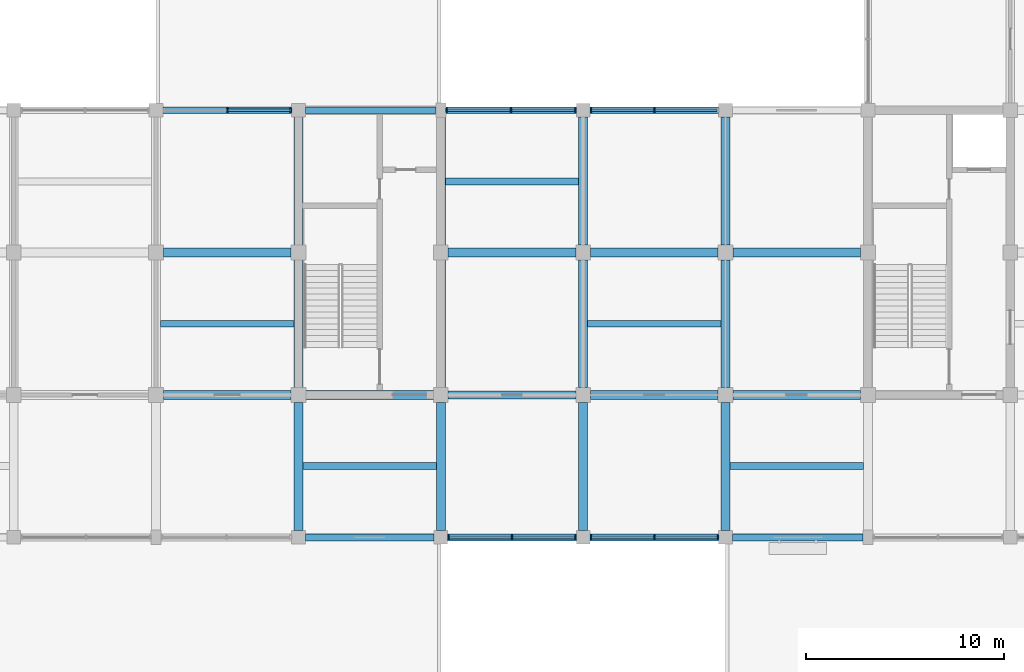
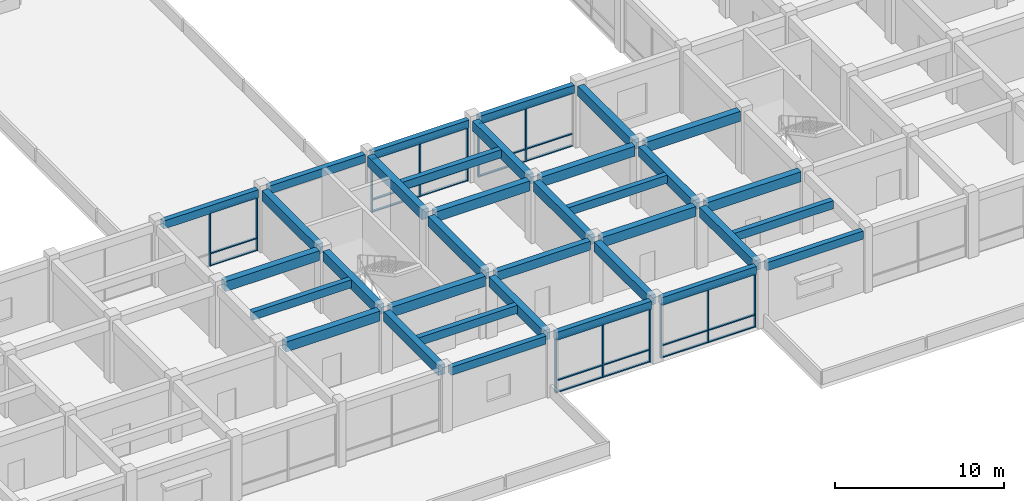
# One storey, part 4 of 30: 40 members, 34 beams, 5 elements without a shape of their own.
"""IFC4 building model written with IfcOpenShell, lengths in metres."""

from ifc_helpers import new_model, si_unit, direction, frame, origin, origin_2d, place, context, subcontext, project, spatial, rectangle, extrude, material, layer, layer_set, material_profile, profile_set, type_object, element, aggregate, save


model = new_model("IFC4")

# Units and contexts
model_context = context("Model", 3, precision=1e-05, world=origin(), true_north=direction((0.0, 1.0)))
body_context = subcontext(model_context, "Body", "Model", "MODEL_VIEW")
ifc_project = project(units=[si_unit("LENGTHUNIT", "METRE"), si_unit("AREAUNIT", "SQUARE_METRE"), si_unit("VOLUMEUNIT", "CUBIC_METRE"), si_unit("PLANEANGLEUNIT", "RADIAN"), si_unit("MASSUNIT", "GRAM", prefix="KILO")], contexts=[model_context])

# Site, building, storey
site_placement = place(None, origin())
site = spatial("IfcSite", under=ifc_project, at=site_placement, CompositionType="ELEMENT")
building_placement = place(site_placement, origin())
building = spatial("IfcBuilding", under=site, at=building_placement, Name="Cendaluz Park School", CompositionType="ELEMENT")
storey_placement = place(building_placement, frame((0.0, 0.0, 9.60009765625)))
storey = spatial("IfcBuildingStorey", under=building, at=storey_placement, Name="L02", CompositionType="ELEMENT", Elevation=9.60009765625)

# Beams
ifc_material_1 = material(Name="Concrete C40/50", Category="concrete")
ifc_material_profile_1 = material_profile(ifc_material_1, rectangle(XDim=0.449951171875, YDim=0.719970703125, at=origin_2d()), Name="RC 450x720", Category="concrete")
ifc_profile_set_1 = profile_set([ifc_material_profile_1], Name="Concrete C40/50")
beam_type_1 = type_object("IfcBeamType", Name="BM-RC02", PredefinedType="BEAM", material=ifc_profile_set_1)
for number, where, z_axis, x_axis, name in (
    (1, (29.175048828125, 14.39990234375, 4.099853515625), (1.0, 0.0, 0.0), (0.0, 1.0, 0.0), "BM-L02-BMRC02-0018"),
    (2, (29.175048828125, 21.60009765625, 4.099853515625), (1.0, 0.0, 0.0), (0.0, 1.0, 0.0), "BM-L02-BMRC02-0019"),
    (3, (36.375, 14.39990234375, 4.099853515625), (1.0, 0.0, 0.0), (0.0, 1.0, 0.0), "BM-L02-BMRC02-0022"),
    (4, (43.574951171875, 21.60009765625, 4.099853515625), (1.0, 0.0, 0.0), (0.0, 1.0, 0.0), "BM-L02-BMRC02-0026"),
):
    element("IfcBeam", number, at=place(storey_placement, frame(where, z_axis=z_axis, x_axis=x_axis)), inside=storey, type_object=beam_type_1, Name=name, PredefinedType="BEAM", context=body_context, shape_type="SweptSolid", body=[
        extrude(rectangle(XDim=0.449951171875, YDim=0.719970703125, at=origin_2d()), origin(), (0.0, 0.0, 1.0), 6.449951171875),
    ])
for number, where, z_axis, x_axis, name in (
    (5, (50.77490234375, 14.39990234375, 4.099853515625), (1.0, 0.0, 0.0), (0.0, 1.0, 0.0), "BM-L02-BMRC02-0029"),
    (6, (50.77490234375, 21.60009765625, 4.099853515625), (1.0, 0.0, 0.0), (0.0, 1.0, 0.0), "BM-L02-BMRC02-0030"),
):
    element("IfcBeam", number, at=place(storey_placement, frame(where, z_axis=z_axis, x_axis=x_axis)), inside=storey, type_object=beam_type_1, Name=name, PredefinedType="BEAM", context=body_context, shape_type="SweptSolid", body=[
        extrude(rectangle(XDim=0.449951171875, YDim=0.719970703125, at=origin_2d()), origin(), (0.0, 0.0, 1.0), 6.4501953125),
    ])
for number, where, z_axis, x_axis, name in (
    (7, (57.97509765625, 14.39990234375, 4.099853515625), (1.0, 0.0, 0.0), (0.0, 1.0, 0.0), "BM-L02-BMRC02-0033"),
    (8, (57.97509765625, 21.60009765625, 4.099853515625), (1.0, 0.0, 0.0), (0.0, 1.0, 0.0), "BM-L02-BMRC02-0034"),
):
    element("IfcBeam", number, at=place(storey_placement, frame(where, z_axis=z_axis, x_axis=x_axis)), inside=storey, type_object=beam_type_1, Name=name, PredefinedType="BEAM", context=body_context, shape_type="SweptSolid", body=[
        extrude(rectangle(XDim=0.449951171875, YDim=0.719970703125, at=origin_2d()), origin(), (0.0, 0.0, 1.0), 6.449951171875),
    ])
beam_1_placement = place(storey_placement, frame((36.0, 7.550048828125, 4.099853515625), z_axis=(0.0, 1.0, 0.0), x_axis=(-1.0, 0.0, 0.0)))
element("IfcBeam", 9, at=beam_1_placement, inside=storey, type_object=beam_type_1, Name="BM-L02-BMRC02-0142", PredefinedType="BEAM", context=body_context, shape_type="SweptSolid", body=[
    extrude(rectangle(XDim=0.449951171875, YDim=0.719970703125, at=origin_2d()), origin(), (0.0, 0.0, 1.0), 6.474853515625),
])
beam_2_placement = place(storey_placement, frame((36.0, 14.77490234375, 4.099853515625), z_axis=(0.0, 1.0, 0.0), x_axis=(-1.0, 0.0, 0.0)))
element("IfcBeam", 10, at=beam_2_placement, inside=storey, type_object=beam_type_1, Name="BM-L02-BMRC02-0143", PredefinedType="BEAM", context=body_context, shape_type="SweptSolid", body=[
    extrude(rectangle(XDim=0.449951171875, YDim=0.719970703125, at=origin_2d()), origin(), (0.0, 0.0, 1.0), 6.4501953125),
])
for number, where, z_axis, x_axis, name in (
    (11, (36.0, 21.97509765625, 4.099853515625), (0.0, 1.0, 0.0), (-1.0, 0.0, 0.0), "BM-L02-BMRC02-0144"),
    (12, (43.199951171875, 7.550048828125, 4.099853515625), (0.0, 1.0, 0.0), (-1.0, 0.0, 0.0), "BM-L02-BMRC02-0145"),
):
    element("IfcBeam", number, at=place(storey_placement, frame(where, z_axis=z_axis, x_axis=x_axis)), inside=storey, type_object=beam_type_1, Name=name, PredefinedType="BEAM", context=body_context, shape_type="SweptSolid", body=[
        extrude(rectangle(XDim=0.449951171875, YDim=0.719970703125, at=origin_2d()), origin(), (0.0, 0.0, 1.0), 6.474853515625),
    ])
beam_3_placement = place(storey_placement, frame((43.199951171875, 14.77490234375, 4.099853515625), z_axis=(0.0, 1.0, 0.0), x_axis=(-1.0, 0.0, 0.0)))
element("IfcBeam", 13, at=beam_3_placement, inside=storey, type_object=beam_type_1, Name="BM-L02-BMRC02-0146", PredefinedType="BEAM", context=body_context, shape_type="SweptSolid", body=[
    extrude(rectangle(XDim=0.449951171875, YDim=0.719970703125, at=origin_2d()), origin(), (0.0, 0.0, 1.0), 6.4501953125),
])
beam_4_placement = place(storey_placement, frame((43.199951171875, 21.97509765625, 4.099853515625), z_axis=(0.0, 1.0, 0.0), x_axis=(-1.0, 0.0, 0.0)))
element("IfcBeam", 14, at=beam_4_placement, inside=storey, type_object=beam_type_1, Name="BM-L02-BMRC02-0147", PredefinedType="BEAM", context=body_context, shape_type="SweptSolid", body=[
    extrude(rectangle(XDim=0.449951171875, YDim=0.719970703125, at=origin_2d()), origin(), (0.0, 0.0, 1.0), 6.449951171875),
])
beam_5_placement = place(storey_placement, frame((50.39990234375, 7.550048828125, 4.099853515625), z_axis=(0.0, 1.0, 0.0), x_axis=(-1.0, 0.0, 0.0)))
element("IfcBeam", 15, at=beam_5_placement, inside=storey, type_object=beam_type_1, Name="BM-L02-BMRC02-0148", PredefinedType="BEAM", context=body_context, shape_type="SweptSolid", body=[
    extrude(rectangle(XDim=0.449951171875, YDim=0.719970703125, at=origin_2d()), origin(), (0.0, 0.0, 1.0), 6.474853515625),
])
beam_6_placement = place(storey_placement, frame((50.39990234375, 14.77490234375, 4.099853515625), z_axis=(0.0, 1.0, 0.0), x_axis=(-1.0, 0.0, 0.0)))
element("IfcBeam", 16, at=beam_6_placement, inside=storey, type_object=beam_type_1, Name="BM-L02-BMRC02-0149", PredefinedType="BEAM", context=body_context, shape_type="SweptSolid", body=[
    extrude(rectangle(XDim=0.449951171875, YDim=0.719970703125, at=origin_2d()), origin(), (0.0, 0.0, 1.0), 6.4501953125),
])
for number, where, z_axis, x_axis, name in (
    (17, (50.39990234375, 21.97509765625, 4.099853515625), (0.0, 1.0, 0.0), (-1.0, 0.0, 0.0), "BM-L02-BMRC02-0150"),
    (18, (57.60009765625, 7.550048828125, 4.099853515625), (0.0, 1.0, 0.0), (-1.0, 0.0, 0.0), "BM-L02-BMRC02-0151"),
):
    element("IfcBeam", number, at=place(storey_placement, frame(where, z_axis=z_axis, x_axis=x_axis)), inside=storey, type_object=beam_type_1, Name=name, PredefinedType="BEAM", context=body_context, shape_type="SweptSolid", body=[
        extrude(rectangle(XDim=0.449951171875, YDim=0.719970703125, at=origin_2d()), origin(), (0.0, 0.0, 1.0), 6.474853515625),
    ])
beam_7_placement = place(storey_placement, frame((57.60009765625, 14.77490234375, 4.099853515625), z_axis=(0.0, 1.0, 0.0), x_axis=(-1.0, 0.0, 0.0)))
element("IfcBeam", 19, at=beam_7_placement, inside=storey, type_object=beam_type_1, Name="BM-L02-BMRC02-0152", PredefinedType="BEAM", context=body_context, shape_type="SweptSolid", body=[
    extrude(rectangle(XDim=0.449951171875, YDim=0.719970703125, at=origin_2d()), origin(), (0.0, 0.0, 1.0), 6.4501953125),
])
beam_8_placement = place(storey_placement, frame((57.60009765625, 21.97509765625, 4.099853515625), z_axis=(0.0, 1.0, 0.0), x_axis=(-1.0, 0.0, 0.0)))
element("IfcBeam", 20, at=beam_8_placement, inside=storey, type_object=beam_type_1, Name="BM-L02-BMRC02-0153", PredefinedType="BEAM", context=body_context, shape_type="SweptSolid", body=[
    extrude(rectangle(XDim=0.449951171875, YDim=0.719970703125, at=origin_2d()), origin(), (0.0, 0.0, 1.0), 6.474853515625),
])
ifc_material_profile_2 = material_profile(ifc_material_1, rectangle(XDim=0.39990234375, YDim=0.64990234375, at=origin_2d()), Name="RC 400x650", Category="concrete")
ifc_profile_set_2 = profile_set([ifc_material_profile_2], Name="Concrete C40/50")
beam_type_2 = type_object("IfcBeamType", Name="BM-RC03", PredefinedType="T_BEAM", material=ifc_profile_set_2)
beam_9_placement = place(storey_placement, frame((43.574951171875, 14.39990234375, 4.135009765625), z_axis=(1.0, 0.0, 0.0), x_axis=(0.0, 1.0, 0.0)))
element("IfcBeam", 21, at=beam_9_placement, inside=storey, type_object=beam_type_2, Name="BM-L02-BMRC03-0025", PredefinedType="T_BEAM", context=body_context, shape_type="SweptSolid", body=[
    extrude(rectangle(XDim=0.39990234375, YDim=0.64990234375, at=origin_2d()), origin(), (0.0, 0.0, 1.0), 6.449951171875),
])
ifc_material_profile_3 = material_profile(ifc_material_1, rectangle(XDim=0.35009765625, YDim=0.580078125, at=origin_2d()), Name="RC 350x580", Category="concrete")
ifc_profile_set_3 = profile_set([ifc_material_profile_3], Name="Concrete C40/50")
beam_type_3 = type_object("IfcBeamType", Name="BM-RC04", PredefinedType="LINTEL", material=ifc_profile_set_3)
for number, where, z_axis, x_axis, name in (
    (22, (29.14990234375, 28.800048828125, 4.169921875), (1.0, 0.0, 0.0), (0.0, 1.0, 0.0), "BM-L02-BMRC04-0020"),
    (23, (36.35009765625, 7.199951171875, 4.169921875), (1.0, 0.0, 0.0), (0.0, 1.0, 0.0), "BM-L02-BMRC04-0021"),
):
    element("IfcBeam", number, at=place(storey_placement, frame(where, z_axis=z_axis, x_axis=x_axis)), inside=storey, type_object=beam_type_3, Name=name, PredefinedType="LINTEL", context=body_context, shape_type="SweptSolid", body=[
        extrude(rectangle(XDim=0.35009765625, YDim=0.580078125, at=origin_2d()), origin(), (0.0, 0.0, 1.0), 6.5),
    ])
beam_10_placement = place(storey_placement, frame((36.35009765625, 28.800048828125, 4.169921875), z_axis=(1.0, 0.0, 0.0), x_axis=(0.0, 1.0, 0.0)))
element("IfcBeam", 24, at=beam_10_placement, inside=storey, type_object=beam_type_3, Name="BM-L02-BMRC04-0023", PredefinedType="LINTEL", context=body_context, shape_type="SweptSolid", body=[
    extrude(rectangle(XDim=0.35009765625, YDim=0.580078125, at=origin_2d()), origin(), (0.0, 0.0, 1.0), 6.599853515625),
])
beam_11_placement = place(storey_placement, frame((43.550048828125, 7.199951171875, 4.169921875), z_axis=(1.0, 0.0, 0.0), x_axis=(0.0, 1.0, 0.0)))
element("IfcBeam", 25, at=beam_11_placement, inside=storey, type_object=beam_type_3, Name="BM-L02-BMRC04-0024", PredefinedType="LINTEL", context=body_context, shape_type="SweptSolid", body=[
    extrude(rectangle(XDim=0.35009765625, YDim=0.580078125, at=origin_2d()), origin(), (0.0, 0.0, 1.0), 6.5),
])
beam_12_placement = place(storey_placement, frame((43.449951171875, 28.800048828125, 4.169921875), z_axis=(1.0, 0.0, 0.0), x_axis=(0.0, 1.0, 0.0)))
element("IfcBeam", 26, at=beam_12_placement, inside=storey, type_object=beam_type_3, Name="BM-L02-BMRC04-0027", PredefinedType="LINTEL", context=body_context, shape_type="SweptSolid", body=[
    extrude(rectangle(XDim=0.35009765625, YDim=0.580078125, at=origin_2d()), origin(), (0.0, 0.0, 1.0), 6.60009765625),
])
for number, where, z_axis, x_axis, name in (
    (27, (50.75, 7.199951171875, 4.169921875), (1.0, 0.0, 0.0), (0.0, 1.0, 0.0), "BM-L02-BMRC04-0028"),
    (28, (50.75, 28.800048828125, 4.169921875), (1.0, 0.0, 0.0), (0.0, 1.0, 0.0), "BM-L02-BMRC04-0031"),
):
    element("IfcBeam", number, at=place(storey_placement, frame(where, z_axis=z_axis, x_axis=x_axis)), inside=storey, type_object=beam_type_3, Name=name, PredefinedType="LINTEL", context=body_context, shape_type="SweptSolid", body=[
        extrude(rectangle(XDim=0.35009765625, YDim=0.580078125, at=origin_2d()), origin(), (0.0, 0.0, 1.0), 6.5),
    ])
beam_13_placement = place(storey_placement, frame((57.949951171875, 7.199951171875, 4.169921875), z_axis=(1.0, 0.0, 0.0), x_axis=(0.0, 1.0, 0.0)))
element("IfcBeam", 29, at=beam_13_placement, inside=storey, type_object=beam_type_3, Name="BM-L02-BMRC04-0032", PredefinedType="LINTEL", context=body_context, shape_type="SweptSolid", body=[
    extrude(rectangle(XDim=0.35009765625, YDim=0.580078125, at=origin_2d()), origin(), (0.0, 0.0, 1.0), 6.60009765625),
])

# Curtain wall, members
ifc_material_2 = material(Name="Anodised Aluminium 6063-T6", Category="aluminium")
ifc_layer_1 = layer(ifc_material_2, 0.179931640625)
ifc_layer_set_1 = layer_set([ifc_layer_1], Name="Anodised Aluminium 6063-T6")
curtain_wall_type_1 = type_object("IfcCurtainWallType", Name="CW-130x78", PredefinedType="NOTDEFINED", material=ifc_layer_set_1)
curtain_wall_1_placement = place(storey_placement, origin())
curtain_wall_1 = element("IfcCurtainWall", 30, at=curtain_wall_1_placement, inside=storey, type_object=curtain_wall_type_1, Name="CW-L02-099", PredefinedType="NOTDEFINED")
ifc_material_profile_4 = material_profile(ifc_material_2, rectangle(XDim=0.199951171875, YDim=0.080078125, at=origin_2d()), Name="CWM 200x80", Category="aluminium")
ifc_profile_set_4 = profile_set([ifc_material_profile_4], Name="Anodised Aluminium 6063-T6")
member_type_1 = type_object("IfcMemberType", Name="CWM-02", PredefinedType="MULLION", material=ifc_profile_set_4)
member_1_placement = place(storey_placement, frame((32.39990234375, 28.800048828125, 0.0), z_axis=(0.0, 0.0, 1.0), x_axis=(0.0, 1.0, 0.0)))
member_1 = element("IfcMember", 31, at=member_1_placement, type_object=member_type_1, Name="CP-L02-1276", PredefinedType="MULLION", context=body_context, shape_type="SweptSolid", body=[
    extrude(rectangle(XDim=0.199951171875, YDim=0.080078125, at=origin_2d()), origin(), (0.0, 0.0, 1.0), 3.8798828125),
])
member_2_placement = place(storey_placement, frame((35.610107421875, 28.800048828125, 0.0), z_axis=(0.0, 0.0, 1.0), x_axis=(0.0, 1.0, 0.0)))
member_2 = element("IfcMember", 32, at=member_2_placement, type_object=member_type_1, Name="CP-L02-1277", PredefinedType="MULLION", context=body_context, shape_type="SweptSolid", body=[
    extrude(rectangle(XDim=0.199951171875, YDim=0.080078125, at=origin_2d()), origin(), (0.0, 0.0, 1.0), 3.8798828125),
])

curtain_wall_2_placement = place(storey_placement, origin())
curtain_wall_2 = element("IfcCurtainWall", 33, at=curtain_wall_2_placement, inside=storey, type_object=curtain_wall_type_1, Name="CW-L02-100", PredefinedType="NOTDEFINED")
member_3_placement = place(storey_placement, frame((43.590087890625, 7.199951171875, 0.0), z_axis=(0.0, 0.0, 1.0), x_axis=(0.0, 1.0, 0.0)))
member_3 = element("IfcMember", 34, at=member_3_placement, type_object=member_type_1, Name="CP-L02-1288", PredefinedType="MULLION", context=body_context, shape_type="SweptSolid", body=[
    extrude(rectangle(XDim=0.199951171875, YDim=0.080078125, at=origin_2d()), origin(), (0.0, 0.0, 1.0), 3.8798828125),
])
member_4_placement = place(storey_placement, frame((46.800048828125, 7.199951171875, 0.0), z_axis=(0.0, 0.0, 1.0), x_axis=(0.0, 1.0, 0.0)))
member_4 = element("IfcMember", 35, at=member_4_placement, type_object=member_type_1, Name="CP-L02-1289", PredefinedType="MULLION", context=body_context, shape_type="SweptSolid", body=[
    extrude(rectangle(XDim=0.199951171875, YDim=0.080078125, at=origin_2d()), origin(), (0.0, 0.0, 1.0), 3.8798828125),
])
member_5_placement = place(storey_placement, frame((50.010009765625, 7.199951171875, 0.0), z_axis=(0.0, 0.0, 1.0), x_axis=(0.0, 1.0, 0.0)))
member_5 = element("IfcMember", 36, at=member_5_placement, type_object=member_type_1, Name="CP-L02-1290", PredefinedType="MULLION", context=body_context, shape_type="SweptSolid", body=[
    extrude(rectangle(XDim=0.199951171875, YDim=0.080078125, at=origin_2d()), origin(), (0.0, 0.0, 1.0), 3.8798828125),
])

ifc_layer_2 = layer(ifc_material_2, 0.179931640625)
ifc_layer_set_2 = layer_set([ifc_layer_2], Name="Anodised Aluminium 6063-T6")
curtain_wall_type_2 = type_object("IfcCurtainWallType", Name="CW-132x78", PredefinedType="NOTDEFINED", material=ifc_layer_set_2)
curtain_wall_3_placement = place(storey_placement, origin())
curtain_wall_3 = element("IfcCurtainWall", 37, at=curtain_wall_3_placement, inside=storey, type_object=curtain_wall_type_2, Name="CW-L02-101", PredefinedType="NOTDEFINED")
member_6_placement = place(storey_placement, frame((43.489990234375, 28.800048828125, 0.0), z_axis=(0.0, 0.0, 1.0), x_axis=(0.0, 1.0, 0.0)))
member_6 = element("IfcMember", 38, at=member_6_placement, type_object=member_type_1, Name="CP-L02-1301", PredefinedType="MULLION", context=body_context, shape_type="SweptSolid", body=[
    extrude(rectangle(XDim=0.199951171875, YDim=0.080078125, at=origin_2d()), origin(), (0.0, 0.0, 1.0), 3.8798828125),
])
member_7_placement = place(storey_placement, frame((46.75, 28.800048828125, 0.0), z_axis=(0.0, 0.0, 1.0), x_axis=(0.0, 1.0, 0.0)))
member_7 = element("IfcMember", 39, at=member_7_placement, type_object=member_type_1, Name="CP-L02-1302", PredefinedType="MULLION", context=body_context, shape_type="SweptSolid", body=[
    extrude(rectangle(XDim=0.199951171875, YDim=0.080078125, at=origin_2d()), origin(), (0.0, 0.0, 1.0), 3.8798828125),
])
member_8_placement = place(storey_placement, frame((50.010009765625, 28.800048828125, 0.0), z_axis=(0.0, 0.0, 1.0), x_axis=(0.0, 1.0, 0.0)))
member_8 = element("IfcMember", 40, at=member_8_placement, type_object=member_type_1, Name="CP-L02-1303", PredefinedType="MULLION", context=body_context, shape_type="SweptSolid", body=[
    extrude(rectangle(XDim=0.199951171875, YDim=0.080078125, at=origin_2d()), origin(), (0.0, 0.0, 1.0), 3.8798828125),
])

curtain_wall_4_placement = place(storey_placement, origin())
curtain_wall_4 = element("IfcCurtainWall", 41, at=curtain_wall_4_placement, inside=storey, type_object=curtain_wall_type_1, Name="CW-L02-102", PredefinedType="NOTDEFINED")
member_9_placement = place(storey_placement, frame((50.7900390625, 7.199951171875, 0.0), z_axis=(0.0, 0.0, 1.0), x_axis=(0.0, 1.0, 0.0)))
member_9 = element("IfcMember", 42, at=member_9_placement, type_object=member_type_1, Name="CP-L02-1314", PredefinedType="MULLION", context=body_context, shape_type="SweptSolid", body=[
    extrude(rectangle(XDim=0.199951171875, YDim=0.080078125, at=origin_2d()), origin(), (0.0, 0.0, 1.0), 3.8798828125),
])
member_10_placement = place(storey_placement, frame((54.0, 7.199951171875, 0.0), z_axis=(0.0, 0.0, 1.0), x_axis=(0.0, 1.0, 0.0)))
member_10 = element("IfcMember", 43, at=member_10_placement, type_object=member_type_1, Name="CP-L02-1315", PredefinedType="MULLION", context=body_context, shape_type="SweptSolid", body=[
    extrude(rectangle(XDim=0.199951171875, YDim=0.080078125, at=origin_2d()), origin(), (0.0, 0.0, 1.0), 3.8798828125),
])
member_11_placement = place(storey_placement, frame((57.2099609375, 7.199951171875, 0.0), z_axis=(0.0, 0.0, 1.0), x_axis=(0.0, 1.0, 0.0)))
member_11 = element("IfcMember", 44, at=member_11_placement, type_object=member_type_1, Name="CP-L02-1316", PredefinedType="MULLION", context=body_context, shape_type="SweptSolid", body=[
    extrude(rectangle(XDim=0.199951171875, YDim=0.080078125, at=origin_2d()), origin(), (0.0, 0.0, 1.0), 3.8798828125),
])

curtain_wall_5_placement = place(storey_placement, origin())
curtain_wall_5 = element("IfcCurtainWall", 45, at=curtain_wall_5_placement, inside=storey, type_object=curtain_wall_type_1, Name="CW-L02-103", PredefinedType="NOTDEFINED")
member_12_placement = place(storey_placement, frame((50.7900390625, 28.800048828125, 0.0), z_axis=(0.0, 0.0, 1.0), x_axis=(0.0, 1.0, 0.0)))
member_12 = element("IfcMember", 46, at=member_12_placement, type_object=member_type_1, Name="CP-L02-1327", PredefinedType="MULLION", context=body_context, shape_type="SweptSolid", body=[
    extrude(rectangle(XDim=0.199951171875, YDim=0.080078125, at=origin_2d()), origin(), (0.0, 0.0, 1.0), 3.8798828125),
])
member_13_placement = place(storey_placement, frame((54.0, 28.800048828125, 0.0), z_axis=(0.0, 0.0, 1.0), x_axis=(0.0, 1.0, 0.0)))
member_13 = element("IfcMember", 47, at=member_13_placement, type_object=member_type_1, Name="CP-L02-1328", PredefinedType="MULLION", context=body_context, shape_type="SweptSolid", body=[
    extrude(rectangle(XDim=0.199951171875, YDim=0.080078125, at=origin_2d()), origin(), (0.0, 0.0, 1.0), 3.8798828125),
])

# Member
ifc_material_profile_5 = material_profile(ifc_material_2, rectangle(XDim=0.14990234375, YDim=0.080078125, at=origin_2d()), Name="CWT 150x80", Category="aluminium")
ifc_profile_set_5 = profile_set([ifc_material_profile_5], Name="Anodised Aluminium 6063-T6")
member_type_2 = type_object("IfcMemberType", Name="CWT-02", PredefinedType="USERDEFINED", material=ifc_profile_set_5)
member_14_placement = place(storey_placement, frame((32.43994140625, 28.800048828125, 0.039794921875), z_axis=(1.0, 0.0, 0.0), x_axis=(0.0, 1.0, 0.0)))
member_14 = element("IfcMember", 48, at=member_14_placement, type_object=member_type_2, Name="CP-L02-1283", ObjectType="TRANSOM", PredefinedType="USERDEFINED", context=body_context, shape_type="SweptSolid", body=[
    extrude(rectangle(XDim=0.14990234375, YDim=0.080078125, at=origin_2d()), origin(), (0.0, 0.0, 1.0), 3.130126953125),
])

member_15_placement = place(storey_placement, frame((32.43994140625, 28.800048828125, 0.89990234375), z_axis=(1.0, 0.0, 0.0), x_axis=(0.0, 1.0, 0.0)))
member_15 = element("IfcMember", 49, at=member_15_placement, type_object=member_type_2, Name="CP-L02-1284", ObjectType="TRANSOM", PredefinedType="USERDEFINED", context=body_context, shape_type="SweptSolid", body=[
    extrude(rectangle(XDim=0.14990234375, YDim=0.080078125, at=origin_2d()), origin(), (0.0, 0.0, 1.0), 3.130126953125),
])

member_16_placement = place(storey_placement, frame((32.43994140625, 28.800048828125, 3.83984375), z_axis=(1.0, 0.0, 0.0), x_axis=(0.0, 1.0, 0.0)))
member_16 = element("IfcMember", 50, at=member_16_placement, type_object=member_type_2, Name="CP-L02-1285", ObjectType="TRANSOM", PredefinedType="USERDEFINED", context=body_context, shape_type="SweptSolid", body=[
    extrude(rectangle(XDim=0.14990234375, YDim=0.080078125, at=origin_2d()), origin(), (0.0, 0.0, 1.0), 3.130126953125),
])

aggregate(curtain_wall_1, [member_1, member_2, member_14, member_15, member_16])

member_17_placement = place(storey_placement, frame((43.6298828125, 7.199951171875, 0.039794921875), z_axis=(1.0, 0.0, 0.0), x_axis=(0.0, 1.0, 0.0)))
member_17 = element("IfcMember", 51, at=member_17_placement, type_object=member_type_2, Name="CP-L02-1291", ObjectType="TRANSOM", PredefinedType="USERDEFINED", context=body_context, shape_type="SweptSolid", body=[
    extrude(rectangle(XDim=0.14990234375, YDim=0.080078125, at=origin_2d()), origin(), (0.0, 0.0, 1.0), 3.130126953125),
])

member_18_placement = place(storey_placement, frame((43.6298828125, 7.199951171875, 0.89990234375), z_axis=(1.0, 0.0, 0.0), x_axis=(0.0, 1.0, 0.0)))
member_18 = element("IfcMember", 52, at=member_18_placement, type_object=member_type_2, Name="CP-L02-1292", ObjectType="TRANSOM", PredefinedType="USERDEFINED", context=body_context, shape_type="SweptSolid", body=[
    extrude(rectangle(XDim=0.14990234375, YDim=0.080078125, at=origin_2d()), origin(), (0.0, 0.0, 1.0), 3.130126953125),
])

member_19_placement = place(storey_placement, frame((43.6298828125, 7.199951171875, 3.83984375), z_axis=(1.0, 0.0, 0.0), x_axis=(0.0, 1.0, 0.0)))
member_19 = element("IfcMember", 53, at=member_19_placement, type_object=member_type_2, Name="CP-L02-1293", ObjectType="TRANSOM", PredefinedType="USERDEFINED", context=body_context, shape_type="SweptSolid", body=[
    extrude(rectangle(XDim=0.14990234375, YDim=0.080078125, at=origin_2d()), origin(), (0.0, 0.0, 1.0), 3.130126953125),
])

member_20_placement = place(storey_placement, frame((46.840087890625, 7.199951171875, 0.039794921875), z_axis=(1.0, 0.0, 0.0), x_axis=(0.0, 1.0, 0.0)))
member_20 = element("IfcMember", 54, at=member_20_placement, type_object=member_type_2, Name="CP-L02-1296", ObjectType="TRANSOM", PredefinedType="USERDEFINED", context=body_context, shape_type="SweptSolid", body=[
    extrude(rectangle(XDim=0.14990234375, YDim=0.080078125, at=origin_2d()), origin(), (0.0, 0.0, 1.0), 3.1298828125),
])

member_21_placement = place(storey_placement, frame((46.840087890625, 7.199951171875, 0.89990234375), z_axis=(1.0, 0.0, 0.0), x_axis=(0.0, 1.0, 0.0)))
member_21 = element("IfcMember", 55, at=member_21_placement, type_object=member_type_2, Name="CP-L02-1297", ObjectType="TRANSOM", PredefinedType="USERDEFINED", context=body_context, shape_type="SweptSolid", body=[
    extrude(rectangle(XDim=0.14990234375, YDim=0.080078125, at=origin_2d()), origin(), (0.0, 0.0, 1.0), 3.1298828125),
])

member_22_placement = place(storey_placement, frame((46.840087890625, 7.199951171875, 3.83984375), z_axis=(1.0, 0.0, 0.0), x_axis=(0.0, 1.0, 0.0)))
member_22 = element("IfcMember", 56, at=member_22_placement, type_object=member_type_2, Name="CP-L02-1298", ObjectType="TRANSOM", PredefinedType="USERDEFINED", context=body_context, shape_type="SweptSolid", body=[
    extrude(rectangle(XDim=0.14990234375, YDim=0.080078125, at=origin_2d()), origin(), (0.0, 0.0, 1.0), 3.1298828125),
])

aggregate(curtain_wall_2, [member_3, member_4, member_5, member_17, member_18, member_19, member_20, member_21, member_22])

member_23_placement = place(storey_placement, frame((43.530029296875, 28.800048828125, 0.039794921875), z_axis=(1.0, 0.0, 0.0), x_axis=(0.0, 1.0, 0.0)))
member_23 = element("IfcMember", 57, at=member_23_placement, type_object=member_type_2, Name="CP-L02-1304", ObjectType="TRANSOM", PredefinedType="USERDEFINED", context=body_context, shape_type="SweptSolid", body=[
    extrude(rectangle(XDim=0.14990234375, YDim=0.080078125, at=origin_2d()), origin(), (0.0, 0.0, 1.0), 3.179931640625),
])

member_24_placement = place(storey_placement, frame((43.530029296875, 28.800048828125, 0.89990234375), z_axis=(1.0, 0.0, 0.0), x_axis=(0.0, 1.0, 0.0)))
member_24 = element("IfcMember", 58, at=member_24_placement, type_object=member_type_2, Name="CP-L02-1305", ObjectType="TRANSOM", PredefinedType="USERDEFINED", context=body_context, shape_type="SweptSolid", body=[
    extrude(rectangle(XDim=0.14990234375, YDim=0.080078125, at=origin_2d()), origin(), (0.0, 0.0, 1.0), 3.179931640625),
])

member_25_placement = place(storey_placement, frame((43.530029296875, 28.800048828125, 3.83984375), z_axis=(1.0, 0.0, 0.0), x_axis=(0.0, 1.0, 0.0)))
member_25 = element("IfcMember", 59, at=member_25_placement, type_object=member_type_2, Name="CP-L02-1306", ObjectType="TRANSOM", PredefinedType="USERDEFINED", context=body_context, shape_type="SweptSolid", body=[
    extrude(rectangle(XDim=0.14990234375, YDim=0.080078125, at=origin_2d()), origin(), (0.0, 0.0, 1.0), 3.179931640625),
])

member_26_placement = place(storey_placement, frame((46.7900390625, 28.800048828125, 0.039794921875), z_axis=(1.0, 0.0, 0.0), x_axis=(0.0, 1.0, 0.0)))
member_26 = element("IfcMember", 60, at=member_26_placement, type_object=member_type_2, Name="CP-L02-1309", ObjectType="TRANSOM", PredefinedType="USERDEFINED", context=body_context, shape_type="SweptSolid", body=[
    extrude(rectangle(XDim=0.14990234375, YDim=0.080078125, at=origin_2d()), origin(), (0.0, 0.0, 1.0), 3.179931640625),
])

member_27_placement = place(storey_placement, frame((46.7900390625, 28.800048828125, 0.89990234375), z_axis=(1.0, 0.0, 0.0), x_axis=(0.0, 1.0, 0.0)))
member_27 = element("IfcMember", 61, at=member_27_placement, type_object=member_type_2, Name="CP-L02-1310", ObjectType="TRANSOM", PredefinedType="USERDEFINED", context=body_context, shape_type="SweptSolid", body=[
    extrude(rectangle(XDim=0.14990234375, YDim=0.080078125, at=origin_2d()), origin(), (0.0, 0.0, 1.0), 3.179931640625),
])

member_28_placement = place(storey_placement, frame((46.7900390625, 28.800048828125, 3.83984375), z_axis=(1.0, 0.0, 0.0), x_axis=(0.0, 1.0, 0.0)))
member_28 = element("IfcMember", 62, at=member_28_placement, type_object=member_type_2, Name="CP-L02-1311", ObjectType="TRANSOM", PredefinedType="USERDEFINED", context=body_context, shape_type="SweptSolid", body=[
    extrude(rectangle(XDim=0.14990234375, YDim=0.080078125, at=origin_2d()), origin(), (0.0, 0.0, 1.0), 3.179931640625),
])

aggregate(curtain_wall_3, [member_6, member_7, member_8, member_23, member_24, member_25, member_26, member_27, member_28])

member_29_placement = place(storey_placement, frame((50.830078125, 7.199951171875, 0.039794921875), z_axis=(1.0, 0.0, 0.0), x_axis=(0.0, 1.0, 0.0)))
member_29 = element("IfcMember", 63, at=member_29_placement, type_object=member_type_2, Name="CP-L02-1317", ObjectType="TRANSOM", PredefinedType="USERDEFINED", context=body_context, shape_type="SweptSolid", body=[
    extrude(rectangle(XDim=0.14990234375, YDim=0.080078125, at=origin_2d()), origin(), (0.0, 0.0, 1.0), 3.1298828125),
])

member_30_placement = place(storey_placement, frame((50.830078125, 7.199951171875, 0.89990234375), z_axis=(1.0, 0.0, 0.0), x_axis=(0.0, 1.0, 0.0)))
member_30 = element("IfcMember", 64, at=member_30_placement, type_object=member_type_2, Name="CP-L02-1318", ObjectType="TRANSOM", PredefinedType="USERDEFINED", context=body_context, shape_type="SweptSolid", body=[
    extrude(rectangle(XDim=0.14990234375, YDim=0.080078125, at=origin_2d()), origin(), (0.0, 0.0, 1.0), 3.1298828125),
])

member_31_placement = place(storey_placement, frame((50.830078125, 7.199951171875, 3.83984375), z_axis=(1.0, 0.0, 0.0), x_axis=(0.0, 1.0, 0.0)))
member_31 = element("IfcMember", 65, at=member_31_placement, type_object=member_type_2, Name="CP-L02-1319", ObjectType="TRANSOM", PredefinedType="USERDEFINED", context=body_context, shape_type="SweptSolid", body=[
    extrude(rectangle(XDim=0.14990234375, YDim=0.080078125, at=origin_2d()), origin(), (0.0, 0.0, 1.0), 3.1298828125),
])

member_32_placement = place(storey_placement, frame((54.0400390625, 7.199951171875, 0.039794921875), z_axis=(1.0, 0.0, 0.0), x_axis=(0.0, 1.0, 0.0)))
member_32 = element("IfcMember", 66, at=member_32_placement, type_object=member_type_2, Name="CP-L02-1322", ObjectType="TRANSOM", PredefinedType="USERDEFINED", context=body_context, shape_type="SweptSolid", body=[
    extrude(rectangle(XDim=0.14990234375, YDim=0.080078125, at=origin_2d()), origin(), (0.0, 0.0, 1.0), 3.1298828125),
])

member_33_placement = place(storey_placement, frame((54.0400390625, 7.199951171875, 0.89990234375), z_axis=(1.0, 0.0, 0.0), x_axis=(0.0, 1.0, 0.0)))
member_33 = element("IfcMember", 67, at=member_33_placement, type_object=member_type_2, Name="CP-L02-1323", ObjectType="TRANSOM", PredefinedType="USERDEFINED", context=body_context, shape_type="SweptSolid", body=[
    extrude(rectangle(XDim=0.14990234375, YDim=0.080078125, at=origin_2d()), origin(), (0.0, 0.0, 1.0), 3.1298828125),
])

member_34_placement = place(storey_placement, frame((54.0400390625, 7.199951171875, 3.83984375), z_axis=(1.0, 0.0, 0.0), x_axis=(0.0, 1.0, 0.0)))
member_34 = element("IfcMember", 68, at=member_34_placement, type_object=member_type_2, Name="CP-L02-1324", ObjectType="TRANSOM", PredefinedType="USERDEFINED", context=body_context, shape_type="SweptSolid", body=[
    extrude(rectangle(XDim=0.14990234375, YDim=0.080078125, at=origin_2d()), origin(), (0.0, 0.0, 1.0), 3.1298828125),
])

aggregate(curtain_wall_4, [member_9, member_10, member_11, member_29, member_30, member_31, member_32, member_33, member_34])

member_35_placement = place(storey_placement, frame((50.830078125, 28.800048828125, 0.039794921875), z_axis=(1.0, 0.0, 0.0), x_axis=(0.0, 1.0, 0.0)))
member_35 = element("IfcMember", 69, at=member_35_placement, type_object=member_type_2, Name="CP-L02-1330", ObjectType="TRANSOM", PredefinedType="USERDEFINED", context=body_context, shape_type="SweptSolid", body=[
    extrude(rectangle(XDim=0.14990234375, YDim=0.080078125, at=origin_2d()), origin(), (0.0, 0.0, 1.0), 3.1298828125),
])

member_36_placement = place(storey_placement, frame((50.830078125, 28.800048828125, 0.89990234375), z_axis=(1.0, 0.0, 0.0), x_axis=(0.0, 1.0, 0.0)))
member_36 = element("IfcMember", 70, at=member_36_placement, type_object=member_type_2, Name="CP-L02-1331", ObjectType="TRANSOM", PredefinedType="USERDEFINED", context=body_context, shape_type="SweptSolid", body=[
    extrude(rectangle(XDim=0.14990234375, YDim=0.080078125, at=origin_2d()), origin(), (0.0, 0.0, 1.0), 3.1298828125),
])

member_37_placement = place(storey_placement, frame((50.830078125, 28.800048828125, 3.83984375), z_axis=(1.0, 0.0, 0.0), x_axis=(0.0, 1.0, 0.0)))
member_37 = element("IfcMember", 71, at=member_37_placement, type_object=member_type_2, Name="CP-L02-1332", ObjectType="TRANSOM", PredefinedType="USERDEFINED", context=body_context, shape_type="SweptSolid", body=[
    extrude(rectangle(XDim=0.14990234375, YDim=0.080078125, at=origin_2d()), origin(), (0.0, 0.0, 1.0), 3.1298828125),
])

member_38_placement = place(storey_placement, frame((54.0400390625, 28.800048828125, 0.039794921875), z_axis=(1.0, 0.0, 0.0), x_axis=(0.0, 1.0, 0.0)))
member_38 = element("IfcMember", 72, at=member_38_placement, type_object=member_type_2, Name="CP-L02-1335", ObjectType="TRANSOM", PredefinedType="USERDEFINED", context=body_context, shape_type="SweptSolid", body=[
    extrude(rectangle(XDim=0.14990234375, YDim=0.080078125, at=origin_2d()), origin(), (0.0, 0.0, 1.0), 3.1298828125),
])

member_39_placement = place(storey_placement, frame((54.0400390625, 28.800048828125, 0.89990234375), z_axis=(1.0, 0.0, 0.0), x_axis=(0.0, 1.0, 0.0)))
member_39 = element("IfcMember", 73, at=member_39_placement, type_object=member_type_2, Name="CP-L02-1336", ObjectType="TRANSOM", PredefinedType="USERDEFINED", context=body_context, shape_type="SweptSolid", body=[
    extrude(rectangle(XDim=0.14990234375, YDim=0.080078125, at=origin_2d()), origin(), (0.0, 0.0, 1.0), 3.1298828125),
])

member_40_placement = place(storey_placement, frame((54.0400390625, 28.800048828125, 3.83984375), z_axis=(1.0, 0.0, 0.0), x_axis=(0.0, 1.0, 0.0)))
member_40 = element("IfcMember", 74, at=member_40_placement, type_object=member_type_2, Name="CP-L02-1337", ObjectType="TRANSOM", PredefinedType="USERDEFINED", context=body_context, shape_type="SweptSolid", body=[
    extrude(rectangle(XDim=0.14990234375, YDim=0.080078125, at=origin_2d()), origin(), (0.0, 0.0, 1.0), 3.1298828125),
])

aggregate(curtain_wall_5, [member_12, member_13, member_35, member_36, member_37, member_38, member_39, member_40])

# Beams
ifc_material_profile_6 = material_profile(ifc_material_1, rectangle(XDim=0.35009765625, YDim=0.580078125, at=origin_2d()), Name="RC 350x580", Category="concrete")
ifc_profile_set_6 = profile_set([ifc_material_profile_6], Name="Concrete C40/50")
beam_type_4 = type_object("IfcBeamType", Name="JT-RC01", PredefinedType="JOIST", material=ifc_profile_set_6)
for number, where, z_axis, x_axis, name in (
    (75, (29.02490234375, 18.0, 4.169921875), (1.0, 0.0, 0.0), (0.0, 1.0, 0.0), "BM-L02-JTRC01-0248"),
    (76, (36.22509765625, 10.800048828125, 4.169921875), (1.0, 0.0, 0.0), (0.0, 1.0, 0.0), "BM-L02-JTRC01-0249"),
    (77, (43.425048828125, 25.199951171875, 4.169921875), (1.0, 0.0, 0.0), (0.0, 1.0, 0.0), "BM-L02-JTRC01-0250"),
    (78, (50.625, 18.0, 4.169921875), (1.0, 0.0, 0.0), (0.0, 1.0, 0.0), "BM-L02-JTRC01-0251"),
    (79, (57.824951171875, 10.800048828125, 4.169921875), (1.0, 0.0, 0.0), (0.0, 1.0, 0.0), "BM-L02-JTRC01-0252"),
):
    element("IfcBeam", number, at=place(storey_placement, frame(where, z_axis=z_axis, x_axis=x_axis)), inside=storey, type_object=beam_type_4, Name=name, PredefinedType="JOIST", context=body_context, shape_type="SweptSolid", body=[
        extrude(rectangle(XDim=0.35009765625, YDim=0.580078125, at=origin_2d()), origin(), (0.0, 0.0, 1.0), 6.75),
    ])

save(model, "model.ifc")
